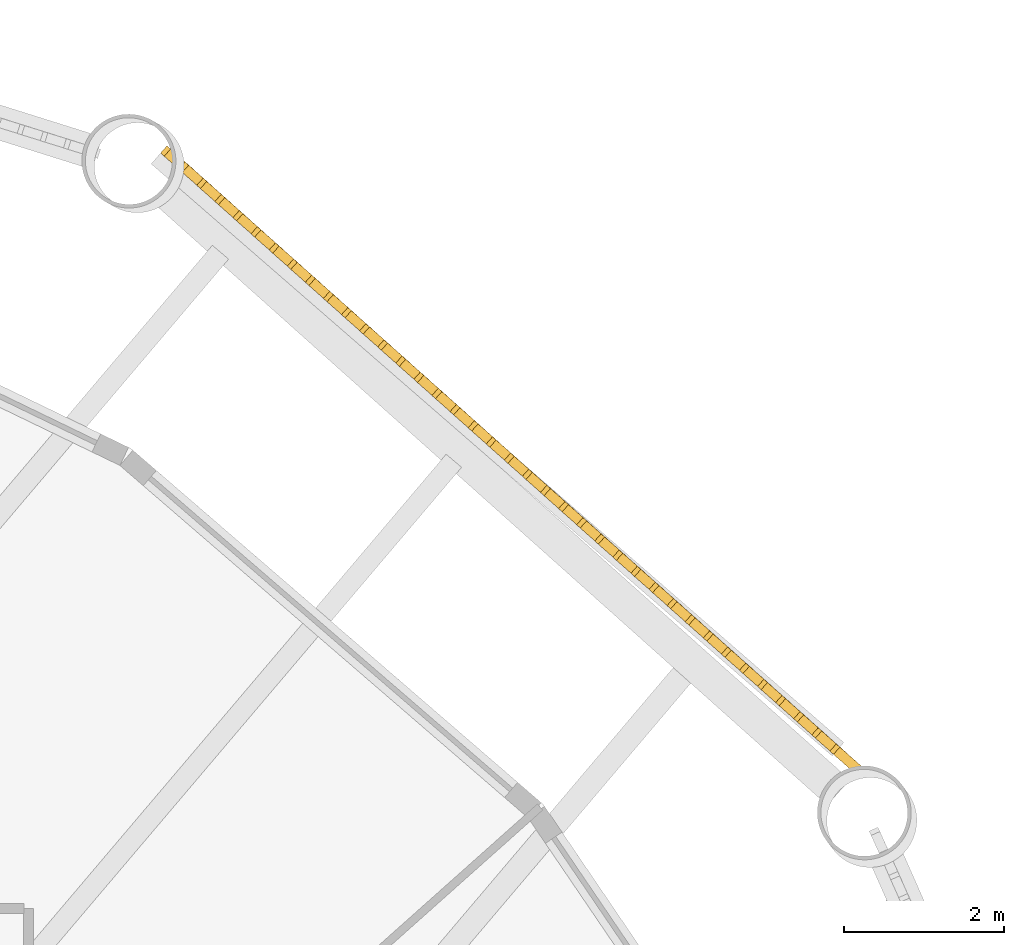
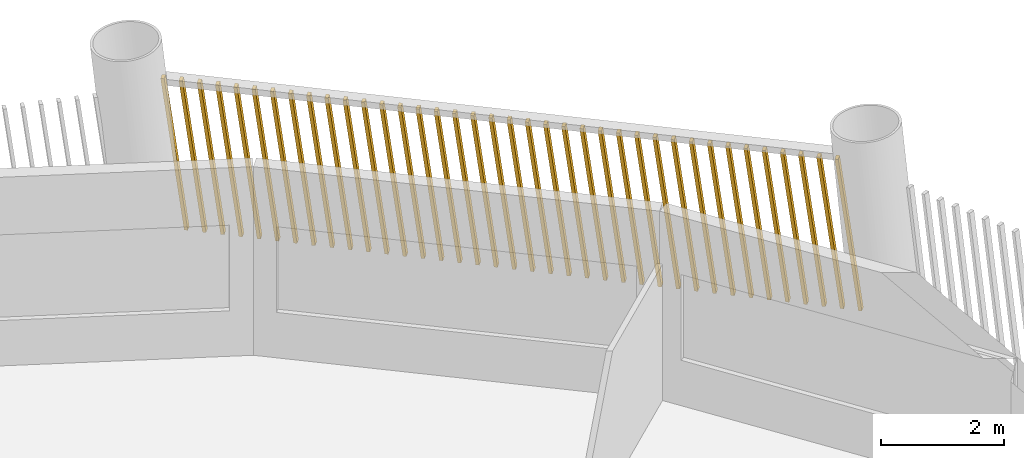
# One storey, part 15 of 16: 1 shading device.
"""IFC4 building model written with IfcOpenShell, lengths in metres."""

import ifcopenshell
import ifcopenshell.guid

model = None  # the IFC model being written
_history = None  # IfcOwnerHistory: only IFC2X3 demands one
_inside = {}  # id of a spatial element -> (the spatial element, [elements in it])
_under = {}  # id of a project, library or spatial element -> (it, [spatial elements below it])
_declared = {}  # id of a project -> (the project, [libraries it declares])
_typed = {}  # id of a type object -> (the type object, [elements of that type])
_made_of = {}  # id of a material, layer set ... -> (it, [elements and type objects made of it])


def new_model(schema):
    """Start an empty IFC model of exactly this schema.

    Asked for "IFC4X3", IfcOpenShell would pick the latest addendum, in which some entities
    have other attributes; the version numbers below select the first issue.
    IFC2X3 requires an IfcOwnerHistory on every rooted entity: one is made here for all.
    """
    global model, _history
    if schema == "IFC4X3":
        model = ifcopenshell.file(schema_version=(4, 3, 0, 0))
    else:
        model = ifcopenshell.file(schema=schema)
    _inside.clear()
    _under.clear()
    _declared.clear()
    _typed.clear()
    _made_of.clear()
    _history = None
    if model.schema == "IFC2X3":
        org = make("IfcOrganization", Name="unknown")
        user = make(
            "IfcPersonAndOrganization",
            ThePerson=make("IfcPerson", FamilyName="unknown"),
            TheOrganization=org,
        )
        app = make(
            "IfcApplication",
            ApplicationDeveloper=org,
            Version="unknown",
            ApplicationFullName="unknown",
            ApplicationIdentifier="unknown",
        )
        _history = make(
            "IfcOwnerHistory",
            OwningUser=user,
            OwningApplication=app,
            ChangeAction="ADDED",
            CreationDate=0,
        )
    return model


def make(cls, **values):
    """One entity of the class cls with the attributes given. An attribute that is None is left unset."""
    return model.create_entity(
        cls, **{name: value for name, value in values.items() if value is not None}
    )


def rooted(cls, **values):
    """An entity with a GlobalId (a new one), such as an element, a storey or a relation."""
    return make(cls, GlobalId=ifcopenshell.guid.new(), OwnerHistory=_history, **values)


def si_unit(unit_type, name, prefix=None):
    """IfcSIUnit, for example si_unit("LENGTHUNIT", "METRE", prefix="MILLI")."""
    return make("IfcSIUnit", UnitType=unit_type, Prefix=prefix, Name=name)


def assignment(units):
    """IfcUnitAssignment: the units of a project."""
    return None if units is None else make("IfcUnitAssignment", Units=units)


def point(xyz):
    """IfcCartesianPoint."""
    return None if xyz is None else make("IfcCartesianPoint", Coordinates=xyz)


def direction(xyz):
    """IfcDirection."""
    return None if xyz is None else make("IfcDirection", DirectionRatios=xyz)


def frame(location, z_axis=None, x_axis=None):
    """IfcAxis2Placement3D, a coordinate frame: its origin and axes. An axis left out is left unset."""
    return make(
        "IfcAxis2Placement3D",
        Location=point(location),
        Axis=direction(z_axis),
        RefDirection=direction(x_axis),
    )


def frame_2d(location, x_axis=None):
    """IfcAxis2Placement2D, a coordinate frame in the plane: its origin and x axis."""
    return make(
        "IfcAxis2Placement2D", Location=point(location), RefDirection=direction(x_axis)
    )


def origin():
    """The frame at (0, 0, 0) with its axes left unset."""
    return frame((0.0, 0.0, 0.0))


def place(relative_to, where):
    """IfcLocalPlacement: puts the frame where relative to a parent placement (None: the world)."""
    return make(
        "IfcLocalPlacement", PlacementRelTo=relative_to, RelativePlacement=where
    )


def context(
    kind, dimensions, precision=None, world=None, true_north=None, identifier=None
):
    """IfcGeometricRepresentationContext, for example the 3D "Model" context."""
    return make(
        "IfcGeometricRepresentationContext",
        ContextIdentifier=identifier,
        ContextType=kind,
        CoordinateSpaceDimension=dimensions,
        Precision=precision,
        WorldCoordinateSystem=world,
        TrueNorth=true_north,
    )


def subcontext(parent, identifier, kind, view, scale=None):
    """IfcGeometricRepresentationSubContext, for example "Body" below "Model"."""
    return make(
        "IfcGeometricRepresentationSubContext",
        ContextIdentifier=identifier,
        ContextType=kind,
        ParentContext=parent,
        TargetScale=scale,
        TargetView=view,
    )


def project(units=None, contexts=None):
    """IfcProject with its units and contexts."""
    return rooted(
        "IfcProject",
        Name="project",
        RepresentationContexts=contexts,
        UnitsInContext=assignment(units),
    )


def spatial(cls, under=None, at=None, **own):
    """A site, building, storey or space (cls), placed at a placement, below another one or the project."""
    s = rooted(cls, ObjectPlacement=at, **own)
    if under is not None:
        _under.setdefault(under.id(), (under, []))[1].append(s)
    return s


def profile(cls, at=None, kind="AREA", **sizes):
    """A parametric profile (cls). Its sizes go by their IFC names, for example OverallWidth=200.0."""
    return make(cls, ProfileType=kind, Position=at, **sizes)


def rectangle(**sizes):
    """IfcRectangleProfileDef."""
    return profile("IfcRectangleProfileDef", **sizes)


def composite_profile(profiles, kind="AREA"):
    """IfcCompositeProfileDef: several profiles as one."""
    return make("IfcCompositeProfileDef", ProfileType=kind, Profiles=profiles)


def extrude(swept, where, along, depth):
    """IfcExtrudedAreaSolid: the profile swept, set in the frame where, extruded along a direction by depth."""
    return make(
        "IfcExtrudedAreaSolid",
        SweptArea=swept,
        Position=where,
        ExtrudedDirection=direction(along),
        Depth=depth,
    )


def shape(context_of_items, identifier, shape_type, items):
    """IfcShapeRepresentation: the items that make up one representation, for example the "Body"."""
    return make(
        "IfcShapeRepresentation",
        ContextOfItems=context_of_items,
        RepresentationIdentifier=identifier,
        RepresentationType=shape_type,
        Items=items,
    )


def material(Name=None, Category=None):
    """IfcMaterial."""
    return make("IfcMaterial", Name=Name, Category=Category)


def made_of(thing, what):
    """Note that an element or type object is made of a material, layer set ...; save() writes the relation."""
    if what is not None:
        _made_of.setdefault(what.id(), (what, []))[1].append(thing)
    return thing


def type_object(cls, material=None, **own):
    """A type object (cls), such as IfcWallType, which elements share."""
    return made_of(rooted(cls, **own), material)


def element(
    cls,
    number,
    at=None,
    inside=None,
    cuts=None,
    type_object=None,
    material=None,
    context=None,
    identifier="Body",
    shape_type=None,
    held_by="IfcProductDefinitionShape",
    body=None,
    shapes=None,
    **own,
):
    """One element of the class cls, such as IfcWall. Its Tag is "e" and its number.

    at: its placement. inside: the storey or other place that contains it. cuts: it is an
    opening in that element (IfcRelVoidsElement). A single representation is given by context,
    identifier, shape_type and body (its items); several are given by shapes. held_by: the class
    of the entity that holds the representations. save() writes the other relations.
    """
    e = rooted(cls, Tag="e%d" % number, ObjectPlacement=at, **own)
    if body is not None:
        shapes = [shape(context, identifier, shape_type, body)]
    if shapes is not None:
        e.Representation = make(held_by, Representations=shapes)
    if inside is not None:
        _inside.setdefault(inside.id(), (inside, []))[1].append(e)
    if cuts is not None:
        rooted(
            "IfcRelVoidsElement", RelatingBuildingElement=cuts, RelatedOpeningElement=e
        )
    if type_object is not None:
        _typed.setdefault(type_object.id(), (type_object, []))[1].append(e)
    return made_of(e, material)


def aggregate(whole, parts):
    """IfcRelAggregates: a whole, such as a stair, and the parts it consists of."""
    return rooted("IfcRelAggregates", RelatingObject=whole, RelatedObjects=parts)


def save(model, path):
    """Write the relations noted so far, then the file.

    IfcRelAggregates (storeys below a building ...), IfcRelContainedInSpatialStructure (elements
    in a storey), IfcRelDefinesByType, IfcRelAssociatesMaterial and IfcRelDeclares: one each for
    every whole, place, type object, material and project.
    """
    for whole, parts in _under.values():
        aggregate(whole, parts)
    for where, things in _inside.values():
        rooted(
            "IfcRelContainedInSpatialStructure",
            RelatedElements=things,
            RelatingStructure=where,
        )
    for kind, things in _typed.values():
        rooted("IfcRelDefinesByType", RelatedObjects=things, RelatingType=kind)
    for what, things in _made_of.values():
        rooted("IfcRelAssociatesMaterial", RelatedObjects=things, RelatingMaterial=what)
    for by, libraries in _declared.values():
        rooted("IfcRelDeclares", RelatingContext=by, RelatedDefinitions=libraries)
    model.write(path)


model = new_model("IFC4")

# Units and contexts
model_context = context("Model", 3, precision=1e-05, world=origin(), true_north=direction((0.0, 1.0)))
body_context = subcontext(model_context, "Body", "Model", "MODEL_VIEW")
ifc_project = project(units=[si_unit("LENGTHUNIT", "METRE"), si_unit("AREAUNIT", "SQUARE_METRE"), si_unit("VOLUMEUNIT", "CUBIC_METRE"), si_unit("PLANEANGLEUNIT", "RADIAN"), si_unit("MASSUNIT", "GRAM", prefix="KILO")], contexts=[model_context])

# Site, building, storey
site_placement = place(None, origin())
site = spatial("IfcSite", under=ifc_project, at=site_placement, CompositionType="ELEMENT")
building_placement = place(site_placement, origin())
building = spatial("IfcBuilding", under=site, at=building_placement, Name="Tarsis Ring Headquarters", CompositionType="ELEMENT")
storey_placement = place(building_placement, frame((0.0, 0.0, 104.5)))
storey = spatial("IfcBuildingStorey", under=building, at=storey_placement, Name="L23", CompositionType="ELEMENT", Elevation=104.5)

# Shading device
ifc_material = material(Name="Terracotta baguette", Category="masonry")
shading_device_type = type_object("IfcShadingDeviceType", Name="Terracotta baguette screen", PredefinedType="USERDEFINED", material=ifc_material)
shading_device_placement = place(storey_placement, frame((23.365234375, 17.70458984375, 0.0), z_axis=(0.0, 0.0, 1.0), x_axis=(-0.745653825285, 0.66634834509, 0.0)))
element("IfcShadingDevice", 1, at=shading_device_placement, inside=storey, type_object=shading_device_type, Name="Baguette screen L23-12", ObjectType="Terracotta baguette screen", PredefinedType="USERDEFINED", context=body_context, shape_type="SweptSolid", body=[
    extrude(composite_profile([rectangle(XDim=0.06005859375, YDim=0.1201171875, at=frame_2d((0.030029296875, 0.0))), rectangle(XDim=0.06005859375, YDim=0.1201171875, at=frame_2d((0.33251953125, 0.0))), rectangle(XDim=0.06005859375, YDim=0.1201171875, at=frame_2d((0.634765625, 0.0))), rectangle(XDim=0.06005859375, YDim=0.1201171875, at=frame_2d((0.937255859375, 0.0))), rectangle(XDim=0.06005859375, YDim=0.1201171875, at=frame_2d((1.239501953125, 0.0))), rectangle(XDim=0.06005859375, YDim=0.1201171875, at=frame_2d((1.5419921875, 0.0))), rectangle(XDim=0.06005859375, YDim=0.1201171875, at=frame_2d((1.844482421875, 0.0))), rectangle(XDim=0.06005859375, YDim=0.1201171875, at=frame_2d((2.146728515625, 0.0))), rectangle(XDim=0.06005859375, YDim=0.1201171875, at=frame_2d((2.44921875, 0.0))), rectangle(XDim=0.06005859375, YDim=0.1201171875, at=frame_2d((2.751708984375, 0.0))), rectangle(XDim=0.06005859375, YDim=0.1201171875, at=frame_2d((3.053955078125, 0.0))), rectangle(XDim=0.06005859375, YDim=0.1201171875, at=frame_2d((3.3564453125, 0.0))), rectangle(XDim=0.06005859375, YDim=0.1201171875, at=frame_2d((3.65869140625, 0.0))), rectangle(XDim=0.06005859375, YDim=0.1201171875, at=frame_2d((3.961181640625, 0.0))), rectangle(XDim=0.06005859375, YDim=0.1201171875, at=frame_2d((4.263671875, 0.0))), rectangle(XDim=0.06005859375, YDim=0.1201171875, at=frame_2d((4.56591796875, 0.0))), rectangle(XDim=0.06005859375, YDim=0.1201171875, at=frame_2d((4.868408203125, 0.0))), rectangle(XDim=0.06005859375, YDim=0.1201171875, at=frame_2d((5.1708984375, 0.0))), rectangle(XDim=0.06005859375, YDim=0.1201171875, at=frame_2d((5.47314453125, 0.0))), rectangle(XDim=0.06005859375, YDim=0.1201171875, at=frame_2d((5.775634765625, 0.0))), rectangle(XDim=0.06005859375, YDim=0.1201171875, at=frame_2d((6.077880859375, 0.0))), rectangle(XDim=0.06005859375, YDim=0.1201171875, at=frame_2d((6.38037109375, 0.0))), rectangle(XDim=0.06005859375, YDim=0.1201171875, at=frame_2d((6.682861328125, 0.0))), rectangle(XDim=0.06005859375, YDim=0.1201171875, at=frame_2d((6.985107421875, 0.0))), rectangle(XDim=0.06005859375, YDim=0.1201171875, at=frame_2d((7.28759765625, 0.0))), rectangle(XDim=0.06005859375, YDim=0.1201171875, at=frame_2d((7.590087890625, 0.0))), rectangle(XDim=0.06005859375, YDim=0.1201171875, at=frame_2d((7.892333984375, 0.0))), rectangle(XDim=0.06005859375, YDim=0.1201171875, at=frame_2d((8.19482421875, 0.0))), rectangle(XDim=0.06005859375, YDim=0.1201171875, at=frame_2d((8.4970703125, 0.0))), rectangle(XDim=0.06005859375, YDim=0.1201171875, at=frame_2d((8.799560546875, 0.0))), rectangle(XDim=0.06005859375, YDim=0.1201171875, at=frame_2d((9.10205078125, 0.0))), rectangle(XDim=0.06005859375, YDim=0.1201171875, at=frame_2d((9.404296875, 0.0))), rectangle(XDim=0.06005859375, YDim=0.1201171875, at=frame_2d((9.706787109375, 0.0))), rectangle(XDim=0.06005859375, YDim=0.1201171875, at=frame_2d((10.00927734375, 0.0))), rectangle(XDim=0.06005859375, YDim=0.1201171875, at=frame_2d((10.3115234375, 0.0))), rectangle(XDim=0.06005859375, YDim=0.1201171875, at=frame_2d((10.614013671875, 0.0))), rectangle(XDim=0.06005859375, YDim=0.1201171875, at=frame_2d((10.916259765625, 0.0))), rectangle(XDim=0.06005859375, YDim=0.1201171875, at=frame_2d((11.21875, 0.0)))]), origin(), (0.131496396188, 0.000893019972, 0.991316246364), 2.978515625),
])

save(model, "model.ifc")
